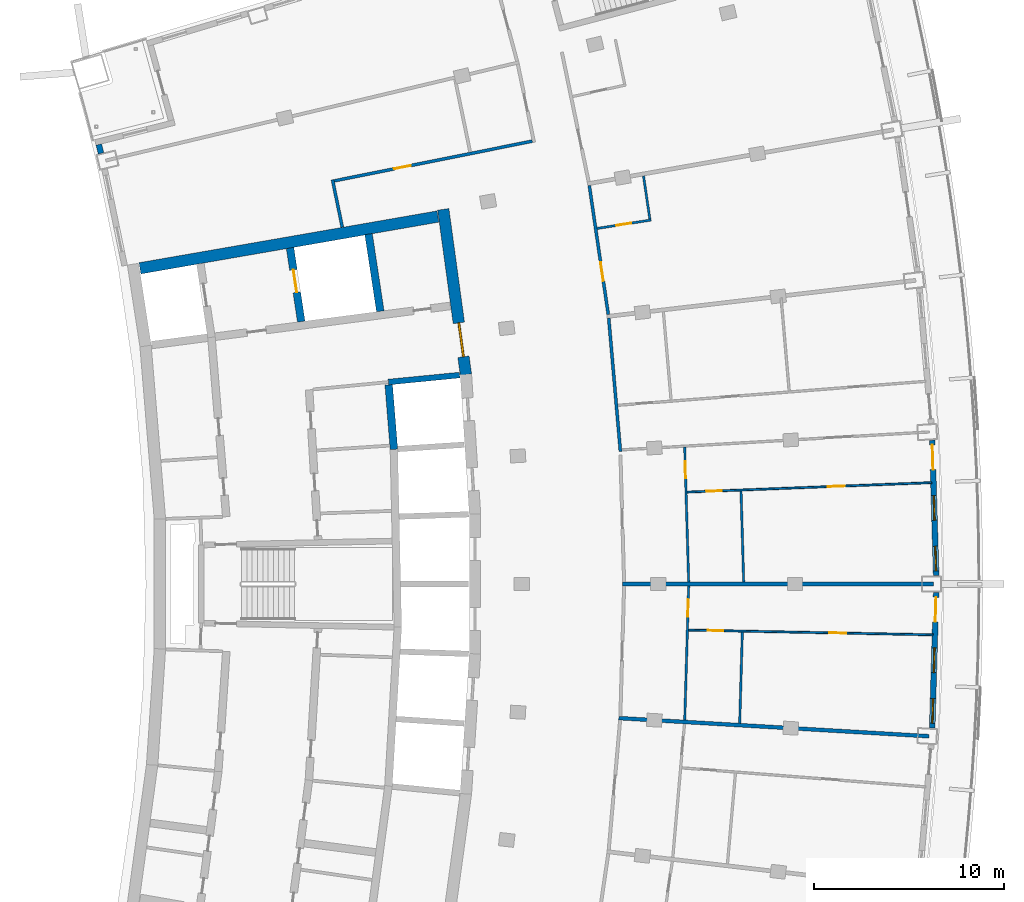
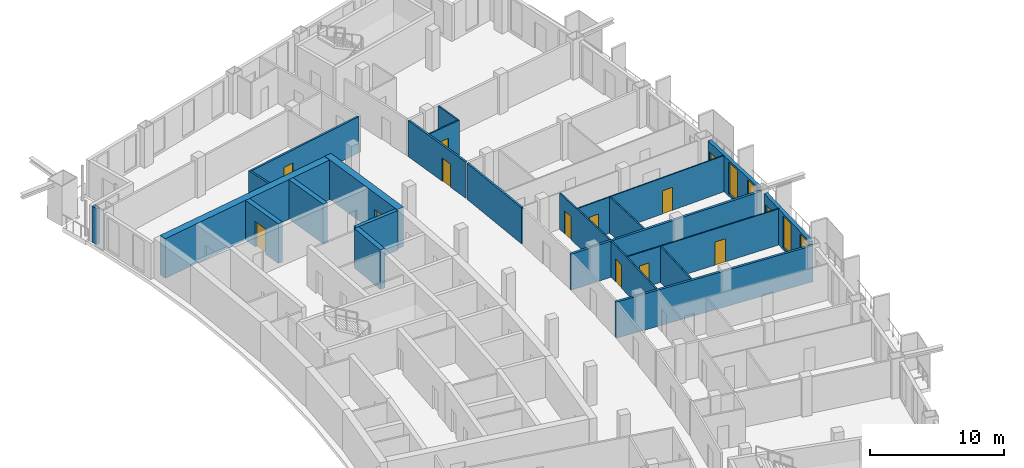
# One storey, part 13 of 19: 23 walls, 13 doors, 4 windows, 17 openings.
"""IFC4 building model written with IfcOpenShell, lengths in metres."""

from ifc_helpers import new_model, si_unit, direction, frame, frame_2d, origin, place, context, subcontext, project, spatial, rectangle, extrude, material, layer, layer_set, type_object, element, fill, save


model = new_model("IFC4")

# Units and contexts
model_context = context("Model", 3, precision=1e-05, world=origin(), true_north=direction((0.0, 1.0)))
body_context = subcontext(model_context, "Body", "Model", "MODEL_VIEW")
ifc_project = project(units=[si_unit("LENGTHUNIT", "METRE"), si_unit("AREAUNIT", "SQUARE_METRE"), si_unit("VOLUMEUNIT", "CUBIC_METRE"), si_unit("PLANEANGLEUNIT", "RADIAN"), si_unit("MASSUNIT", "GRAM", prefix="KILO")], contexts=[model_context])

# Site, building, storey
site_placement = place(None, origin())
site = spatial("IfcSite", under=ifc_project, at=site_placement, CompositionType="ELEMENT")
building_placement = place(site_placement, origin())
building = spatial("IfcBuilding", under=site, at=building_placement, Name="Alderwake Tower", CompositionType="ELEMENT")
storey_placement = place(building_placement, frame((0.0, 0.0, 228.800048828125)))
storey = spatial("IfcBuildingStorey", under=building, at=storey_placement, Name="L57", CompositionType="ELEMENT", Elevation=228.800048828125)

# Wall, opening, door
ifc_material_1 = material(Name="Concrete C70/85", Category="concrete")
ifc_layer_1 = layer(ifc_material_1, 0.60009765625)
ifc_layer_set_1 = layer_set([ifc_layer_1], Name="Core wall outer 600 C70-85")
wall_type_1 = type_object("IfcWallType", Name="Core wall outer 600 C70-85", PredefinedType="SHEAR", material=ifc_layer_set_1)
wall_1_placement = place(storey_placement, frame((31.66796875, 80.743896484375, 0.0), z_axis=(0.0, 0.0, 1.0), x_axis=(0.135856583698, -0.990728514108, 0.0)))
wall_1 = element("IfcWall", 1, at=wall_1_placement, inside=storey, type_object=wall_type_1, Name="Core wall CW.014", PredefinedType="SHEAR", context=body_context, shape_type="SweptSolid", body=[
    extrude(rectangle(XDim=8.79296875, YDim=0.60009765625, at=frame_2d((4.396484375, 0.0))), origin(), (0.0, 0.0, 1.0), 3.599853515625),
])
opening_1_placement = place(wall_1_placement, frame((6.038818359375, 0.0, 0.0)))
opening_1 = element("IfcOpeningElement", 2, at=opening_1_placement, cuts=wall_1, Name="Opening C001", PredefinedType="OPENING", context=body_context, shape_type="SweptSolid", body=[
    extrude(rectangle(XDim=1.800048828125, YDim=2.10009765625, at=frame_2d((0.89990234375, 1.050048828125))), frame((0.0, 0.31005859375, 0.0), z_axis=(0.0, -1.0, 0.0), x_axis=(1.0, 0.0, 0.0)), (0.0, 0.0, 1.0), 0.6201171875),
])
ifc_material_2 = material(Name="Steel-framed fire door leaves", Category="steel")
door_type_1 = type_object("IfcDoorType", Name="Core double door 1800 fire-rated", OperationType="DOUBLE_DOOR_SINGLE_SWING", PredefinedType="DOOR", material=ifc_material_2)
door_1_placement = place(opening_1_placement, origin())
door_1 = element("IfcDoor", 3, at=door_1_placement, inside=storey, type_object=door_type_1, Name="Lobby double door", OperationType="DOUBLE_DOOR_SINGLE_SWING", OverallHeight=2.10009765625, OverallWidth=1.800048828125, PredefinedType="DOOR", context=body_context, shape_type="SweptSolid", body=[
    extrude(rectangle(XDim=1.800048828125, YDim=2.10009765625, at=frame_2d((0.89990234375, 1.050048828125))), frame((0.0, 0.050048828125, 0.0), z_axis=(0.0, -1.0, 0.0), x_axis=(1.0, 0.0, 0.0)), (0.0, 0.0, 1.0), 0.10009765625),
])
fill(opening_1, door_1)

# Walls
wall_2_placement = place(storey_placement, frame((15.68896484375, 77.6357421875, 0.0), z_axis=(0.0, 0.0, 1.0), x_axis=(0.985223223422, 0.17127521721, 0.0)))
element("IfcWall", 4, at=wall_2_placement, inside=storey, type_object=wall_type_1, Name="Core wall CW.055", PredefinedType="SHEAR", context=body_context, shape_type="SweptSolid", body=[
    extrude(rectangle(XDim=15.933349609375, YDim=0.60009765625, at=frame_2d((7.966796875, 0.0))), origin(), (0.0, 0.0, 1.0), 3.599853515625),
])
ifc_material_3 = material(Name="Concrete C70/85", Category="concrete")
ifc_layer_2 = layer(ifc_material_3, 0.300048828125)
ifc_layer_set_2 = layer_set([ifc_layer_2], Name="Core wall shaft 300 C70-85")
wall_type_2 = type_object("IfcWallType", Name="Core wall shaft 300 C70-85", PredefinedType="SHEAR", material=ifc_layer_set_2)
wall_3_placement = place(storey_placement, frame((28.780517578125, 71.644287109375, 0.0), z_axis=(0.0, 0.0, 1.0), x_axis=(0.995245280185, 0.097400370992, 0.0)))
element("IfcWall", 5, at=wall_3_placement, inside=storey, type_object=wall_type_2, Name="Core wall CW.049", PredefinedType="SHEAR", context=body_context, shape_type="SweptSolid", body=[
    extrude(rectangle(XDim=3.769775390625, YDim=0.300048828125, at=frame_2d((1.884765625, 0.0))), origin(), (0.0, 0.0, 1.0), 3.599853515625),
])

# Wall, opening, door
ifc_material_4 = material(Name="Concrete C70/85", Category="concrete")
ifc_layer_3 = layer(ifc_material_4, 0.39990234375)
ifc_layer_set_3 = layer_set([ifc_layer_3], Name="Core wall spine 400 C70-85")
wall_type_3 = type_object("IfcWallType", Name="Core wall spine 400 C70-85", PredefinedType="SHEAR", material=ifc_layer_set_3)
wall_4_placement = place(storey_placement, frame((24.186279296875, 74.82861328125, 0.0), z_axis=(0.0, 0.0, 1.0), x_axis=(-0.150092938275, 0.988671891924, 0.0)))
wall_4 = element("IfcWall", 6, at=wall_4_placement, inside=storey, type_object=wall_type_3, Name="Core wall CW.044", PredefinedType="SHEAR", context=body_context, shape_type="SweptSolid", body=[
    extrude(rectangle(XDim=3.92333984375, YDim=0.39990234375, at=frame_2d((1.961669921875, 0.0))), origin(), (0.0, 0.0, 1.0), 3.599853515625),
])
opening_2_placement = place(wall_4_placement, frame((1.561767578125, 0.0, 0.0)))
opening_2 = element("IfcOpeningElement", 7, at=opening_2_placement, cuts=wall_4, Name="Opening LD-FF2", PredefinedType="OPENING", context=body_context, shape_type="SweptSolid", body=[
    extrude(rectangle(XDim=1.199951171875, YDim=2.300048828125, at=frame_2d((0.60009765625, 1.14990234375))), frame((0.0, 0.2099609375, 0.0), z_axis=(0.0, -1.0, 0.0), x_axis=(1.0, 0.0, 0.0)), (0.0, 0.0, 1.0), 0.419921875),
])
ifc_material_5 = material(Name="Stainless steel sliding leaf", Category="steel")
door_type_2 = type_object("IfcDoorType", Name="Lift landing door 1200", OperationType="SLIDING_TO_LEFT", PredefinedType="DOOR", material=ifc_material_5)
door_2_placement = place(opening_2_placement, origin())
door_2 = element("IfcDoor", 8, at=door_2_placement, inside=storey, type_object=door_type_2, Name="Lift landing door FF2", OperationType="SLIDING_TO_LEFT", OverallHeight=2.300048828125, OverallWidth=1.199951171875, PredefinedType="DOOR", context=body_context, shape_type="SweptSolid", body=[
    extrude(rectangle(XDim=1.199951171875, YDim=2.300048828125, at=frame_2d((0.60009765625, 1.14990234375))), frame((0.0, 0.02490234375, 0.0), z_axis=(0.0, -1.0, 0.0), x_axis=(1.0, 0.0, 0.0)), (0.0, 0.0, 1.0), 0.050048828125),
])
fill(opening_2, door_2)

# Walls
wall_5_placement = place(storey_placement, frame((29.069580078125, 68.09619140625, 0.0), z_axis=(0.0, 0.0, 1.0), x_axis=(-0.080544811251, 0.996750988653, 0.0)))
element("IfcWall", 9, at=wall_5_placement, inside=storey, type_object=wall_type_3, Name="Core wall CW.003", PredefinedType="SHEAR", context=body_context, shape_type="SweptSolid", body=[
    extrude(rectangle(XDim=3.409912109375, YDim=0.39990234375, at=frame_2d((1.705078125, 0.0))), origin(), (0.0, 0.0, 1.0), 3.599853515625),
])
wall_6_placement = place(storey_placement, frame((28.350830078125, 75.373291015625, 0.0), z_axis=(0.0, 0.0, 1.0), x_axis=(-0.150143035921, 0.988664285167, 0.0)))
element("IfcWall", 10, at=wall_6_placement, inside=storey, type_object=wall_type_3, Name="Core wall CW.001", PredefinedType="SHEAR", context=body_context, shape_type="SweptSolid", body=[
    extrude(rectangle(XDim=4.1123046875, YDim=0.39990234375, at=frame_2d((2.05615234375, 0.0))), origin(), (0.0, 0.0, 1.0), 3.599853515625),
])
ifc_material_6 = material(Name="Gypsum board on metal studs, rated")
ifc_layer_4 = layer(ifc_material_6, 0.159912109375)
ifc_layer_set_4 = layer_set([ifc_layer_4], Name="Corridor wall 160")
wall_type_4 = type_object("IfcWallType", Name="Corridor wall 160", PredefinedType="PARTITIONING", material=ifc_layer_set_4)
wall_7_placement = place(storey_placement, frame((25.831787109375, 82.305419921875, 0.0), z_axis=(0.0, 0.0, 1.0), x_axis=(0.202450797205, -0.979292435747, 0.0)))
element("IfcWall", 11, at=wall_7_placement, inside=storey, type_object=wall_type_4, Name="WL/L57/W14", PredefinedType="PARTITIONING", context=body_context, shape_type="SweptSolid", body=[
    extrude(rectangle(XDim=2.555419921875, YDim=0.159912109375, at=frame_2d((1.27783203125, 0.0))), origin(), (0.0, 0.0, 1.0), 3.280029296875),
])

# Wall, opening, door
wall_8_placement = place(storey_placement, frame((25.926513671875, 82.24267578125, 0.0), z_axis=(0.0, 0.0, 1.0), x_axis=(0.98046310274, 0.196703086316, 0.0)))
wall_8 = element("IfcWall", 12, at=wall_8_placement, inside=storey, type_object=wall_type_4, Name="WL/L57/W21", PredefinedType="PARTITIONING", context=body_context, shape_type="SweptSolid", body=[
    extrude(rectangle(XDim=10.637939453125, YDim=0.159912109375, at=frame_2d((5.31884765625, 0.0))), origin(), (0.0, 0.0, 1.0), 3.280029296875),
])
opening_3_placement = place(wall_8_placement, frame((3.208984375, 0.0, 0.0)))
opening_3 = element("IfcOpeningElement", 13, at=opening_3_placement, cuts=wall_8, Name="Opening R16-SBN1", PredefinedType="OPENING", context=body_context, shape_type="SweptSolid", body=[
    extrude(rectangle(XDim=0.89990234375, YDim=2.10009765625, at=frame_2d((0.449951171875, 1.050048828125))), frame((0.0, 0.08984375, 0.0), z_axis=(0.0, -1.0, 0.0), x_axis=(1.0, 0.0, 0.0)), (0.0, 0.0, 1.0), 0.179931640625),
])
ifc_material_7 = material(Name="Painted timber leaf", Category="wood")
door_type_3 = type_object("IfcDoorType", Name="Room door 900", OperationType="SINGLE_SWING_LEFT", PredefinedType="DOOR", material=ifc_material_7)
door_3_placement = place(opening_3_placement, origin())
door_3 = element("IfcDoor", 14, at=door_3_placement, inside=storey, type_object=door_type_3, Name="DR/L57/SBN1", OperationType="SINGLE_SWING_LEFT", OverallHeight=2.10009765625, OverallWidth=0.89990234375, PredefinedType="DOOR", context=body_context, shape_type="SweptSolid", body=[
    extrude(rectangle(XDim=0.89990234375, YDim=2.10009765625, at=frame_2d((0.449951171875, 1.050048828125))), frame((0.0, 0.02490234375, 0.0), z_axis=(0.0, -1.0, 0.0), x_axis=(1.0, 0.0, 0.0)), (0.0, 0.0, 1.0), 0.050048828125),
])
fill(opening_3, door_3)

wall_9_placement = place(storey_placement, frame((39.362548828125, 82.001953125, 0.0), z_axis=(0.0, 0.0, 1.0), x_axis=(0.145565626222, -0.98934859805, 0.0)))
wall_9 = element("IfcWall", 15, at=wall_9_placement, inside=storey, type_object=wall_type_4, Name="WL/L57/W26", PredefinedType="PARTITIONING", context=body_context, shape_type="SweptSolid", body=[
    extrude(rectangle(XDim=6.8681640625, YDim=0.159912109375, at=frame_2d((3.43408203125, 0.0))), origin(), (0.0, 0.0, 1.0), 3.280029296875),
])
opening_4_placement = place(wall_9_placement, frame((4.08544921875, 0.0, 0.0)))
opening_4 = element("IfcOpeningElement", 16, at=opening_4_placement, cuts=wall_9, Name="Opening R16-U07.1", PredefinedType="OPENING", context=body_context, shape_type="SweptSolid", body=[
    extrude(rectangle(XDim=1.0, YDim=2.10009765625, at=frame_2d((0.5, 1.050048828125))), frame((0.0, 0.08984375, 0.0), z_axis=(0.0, -1.0, 0.0), x_axis=(1.0, 0.0, 0.0)), (0.0, 0.0, 1.0), 0.179931640625),
])
ifc_material_8 = material(Name="Solid timber leaf in steel frame", Category="steel")
door_type_4 = type_object("IfcDoorType", Name="Flat entrance door 1000 fire-rated", OperationType="SINGLE_SWING_LEFT", PredefinedType="DOOR", material=ifc_material_8)
door_4_placement = place(opening_4_placement, origin())
door_4 = element("IfcDoor", 17, at=door_4_placement, inside=storey, type_object=door_type_4, Name="DR/L57/U07.1", OperationType="SINGLE_SWING_LEFT", OverallHeight=2.10009765625, OverallWidth=1.0, PredefinedType="DOOR", context=body_context, shape_type="SweptSolid", body=[
    extrude(rectangle(XDim=1.0, YDim=2.10009765625, at=frame_2d((0.5, 1.050048828125))), frame((0.0, 0.02490234375, 0.0), z_axis=(0.0, -1.0, 0.0), x_axis=(1.0, 0.0, 0.0)), (0.0, 0.0, 1.0), 0.050048828125),
])
fill(opening_4, door_4)

# Wall
wall_10_placement = place(storey_placement, frame((41.001953125, 67.9873046875, 0.0), z_axis=(0.0, 0.0, 1.0), x_axis=(-0.087430787456, 0.996170596537, 0.0)))
element("IfcWall", 18, at=wall_10_placement, inside=storey, type_object=wall_type_4, Name="WL/L57/W28", PredefinedType="PARTITIONING", context=body_context, shape_type="SweptSolid", body=[
    extrude(rectangle(XDim=7.048095703125, YDim=0.159912109375, at=frame_2d((3.52392578125, 0.0))), origin(), (0.0, 0.0, 1.0), 3.280029296875),
])

# Wall, openings, door, windows
ifc_material_9 = material(Name="Precast concrete C50/60 spandrel panel", Category="concrete")
ifc_layer_5 = layer(ifc_material_9, 0.300048828125)
ifc_layer_set_5 = layer_set([ifc_layer_5], Name="External wall EW1 Precast concrete C50/60 spandrel")
wall_type_5 = type_object("IfcWallType", Name="External wall EW1 Precast concrete C50/60 spandrel", PredefinedType="SOLIDWALL", material=ifc_layer_set_5)
wall_11_placement = place(storey_placement, frame((57.428955078125, 53.422119140625, 0.0), z_axis=(0.0, 0.0, 1.0), x_axis=(0.029158685433, 0.999574795132, 0.0)))
wall_11 = element("IfcWall", 19, at=wall_11_placement, inside=storey, type_object=wall_type_5, Name="External wall 15", PredefinedType="SOLIDWALL", context=body_context, shape_type="SweptSolid", body=[
    extrude(rectangle(XDim=7.133544921875, YDim=0.300048828125, at=frame_2d((3.56689453125, 0.0))), origin(), (0.0, 0.0, 1.0), 3.280029296875),
])
opening_5_placement = place(wall_11_placement, frame((0.24560546875, 0.0, 0.199951171875)))
opening_5 = element("IfcOpeningElement", 20, at=opening_5_placement, cuts=wall_11, Name="Opening W1", PredefinedType="OPENING", context=body_context, shape_type="SweptSolid", body=[
    extrude(rectangle(XDim=1.300048828125, YDim=2.89990234375, at=frame_2d((0.64990234375, 1.449951171875))), frame((0.0, 0.159912109375, 0.0), z_axis=(0.0, -1.0, 0.0), x_axis=(1.0, 0.0, 0.0)), (0.0, 0.0, 1.0), 0.320068359375),
])
opening_6_placement = place(wall_11_placement, frame((2.916748046875, 0.0, 0.199951171875)))
opening_6 = element("IfcOpeningElement", 21, at=opening_6_placement, cuts=wall_11, Name="Opening W1", PredefinedType="OPENING", context=body_context, shape_type="SweptSolid", body=[
    extrude(rectangle(XDim=1.300048828125, YDim=2.89990234375, at=frame_2d((0.64990234375, 1.449951171875))), frame((0.0, 0.159912109375, 0.0), z_axis=(0.0, -1.0, 0.0), x_axis=(1.0, 0.0, 0.0)), (0.0, 0.0, 1.0), 0.320068359375),
])
opening_7_placement = place(wall_11_placement, frame((5.588134765625, 0.0, 0.0)))
opening_7 = element("IfcOpeningElement", 22, at=opening_7_placement, cuts=wall_11, Name="Opening D04", PredefinedType="OPENING", context=body_context, shape_type="SweptSolid", body=[
    extrude(rectangle(XDim=1.300048828125, YDim=2.39990234375, at=frame_2d((0.64990234375, 1.199951171875))), frame((0.0, 0.159912109375, 0.0), z_axis=(0.0, -1.0, 0.0), x_axis=(1.0, 0.0, 0.0)), (0.0, 0.0, 1.0), 0.320068359375),
])
ifc_material_10 = material(Name="Bronze tinted glass in aluminium frame", Category="aluminium")
door_type_5 = type_object("IfcDoorType", Name="Balcony door BD sliding", OperationType="SLIDING_TO_LEFT", PredefinedType="DOOR", material=ifc_material_10)
door_5_placement = place(opening_7_placement, origin())
door_5 = element("IfcDoor", 23, at=door_5_placement, inside=storey, type_object=door_type_5, Name="Door D04", OperationType="SLIDING_TO_LEFT", OverallHeight=2.39990234375, OverallWidth=1.300048828125, PredefinedType="DOOR", context=body_context, shape_type="SweptSolid", body=[
    extrude(rectangle(XDim=1.300048828125, YDim=2.39990234375, at=frame_2d((0.64990234375, 1.199951171875))), frame((0.0, 0.02490234375, 0.0), z_axis=(0.0, -1.0, 0.0), x_axis=(1.0, 0.0, 0.0)), (0.0, 0.0, 1.0), 0.050048828125),
])
fill(opening_7, door_5)
ifc_material_11 = material(Name="Bronze tinted glass in aluminium frame", Category="aluminium")
window_type = type_object("IfcWindowType", Name="Window W1 tall fixed and vent", PartitioningType="DOUBLE_PANEL_VERTICAL", PredefinedType="WINDOW", material=ifc_material_11)
window_1_placement = place(opening_5_placement, origin())
window_1 = element("IfcWindow", 24, at=window_1_placement, inside=storey, type_object=window_type, Name="Window W1 tall fixed and vent", OverallHeight=2.89990234375, OverallWidth=1.300048828125, PartitioningType="DOUBLE_PANEL_VERTICAL", PredefinedType="WINDOW", context=body_context, shape_type="SweptSolid", body=[
    extrude(rectangle(XDim=1.300048828125, YDim=2.89990234375, at=frame_2d((0.64990234375, 1.449951171875))), frame((0.0, 0.030029296875, 0.0), z_axis=(0.0, -1.0, 0.0), x_axis=(1.0, 0.0, 0.0)), (0.0, 0.0, 1.0), 0.06005859375),
])
fill(opening_5, window_1)
window_2_placement = place(opening_6_placement, origin())
window_2 = element("IfcWindow", 25, at=window_2_placement, inside=storey, type_object=window_type, Name="Window W1 tall fixed and vent", OverallHeight=2.89990234375, OverallWidth=1.300048828125, PartitioningType="DOUBLE_PANEL_VERTICAL", PredefinedType="WINDOW", context=body_context, shape_type="SweptSolid", body=[
    extrude(rectangle(XDim=1.300048828125, YDim=2.89990234375, at=frame_2d((0.64990234375, 1.449951171875))), frame((0.0, 0.030029296875, 0.0), z_axis=(0.0, -1.0, 0.0), x_axis=(1.0, 0.0, 0.0)), (0.0, 0.0, 1.0), 0.06005859375),
])
fill(opening_6, window_2)

wall_12_placement = place(storey_placement, frame((57.636962890625, 61.447265625, 0.0), z_axis=(0.0, 0.0, 1.0), x_axis=(-0.029158685433, 0.999574795132, 0.0)))
wall_12 = element("IfcWall", 26, at=wall_12_placement, inside=storey, type_object=wall_type_5, Name="External wall 16", PredefinedType="SOLIDWALL", context=body_context, shape_type="SweptSolid", body=[
    extrude(rectangle(XDim=7.133544921875, YDim=0.300048828125, at=frame_2d((3.56689453125, 0.0))), origin(), (0.0, 0.0, 1.0), 3.280029296875),
])
opening_8_placement = place(wall_12_placement, frame((0.24560546875, 0.0, 0.199951171875)))
opening_8 = element("IfcOpeningElement", 27, at=opening_8_placement, cuts=wall_12, Name="Opening W1", PredefinedType="OPENING", context=body_context, shape_type="SweptSolid", body=[
    extrude(rectangle(XDim=1.300048828125, YDim=2.89990234375, at=frame_2d((0.64990234375, 1.449951171875))), frame((0.0, 0.159912109375, 0.0), z_axis=(0.0, -1.0, 0.0), x_axis=(1.0, 0.0, 0.0)), (0.0, 0.0, 1.0), 0.320068359375),
])
opening_9_placement = place(wall_12_placement, frame((2.916748046875, 0.0, 0.199951171875)))
opening_9 = element("IfcOpeningElement", 28, at=opening_9_placement, cuts=wall_12, Name="Opening W1", PredefinedType="OPENING", context=body_context, shape_type="SweptSolid", body=[
    extrude(rectangle(XDim=1.300048828125, YDim=2.89990234375, at=frame_2d((0.64990234375, 1.449951171875))), frame((0.0, 0.159912109375, 0.0), z_axis=(0.0, -1.0, 0.0), x_axis=(1.0, 0.0, 0.0)), (0.0, 0.0, 1.0), 0.320068359375),
])
opening_10_placement = place(wall_12_placement, frame((5.588134765625, 0.0, 0.0)))
opening_10 = element("IfcOpeningElement", 29, at=opening_10_placement, cuts=wall_12, Name="Opening D05", PredefinedType="OPENING", context=body_context, shape_type="SweptSolid", body=[
    extrude(rectangle(XDim=1.300048828125, YDim=2.39990234375, at=frame_2d((0.64990234375, 1.199951171875))), frame((0.0, 0.159912109375, 0.0), z_axis=(0.0, -1.0, 0.0), x_axis=(1.0, 0.0, 0.0)), (0.0, 0.0, 1.0), 0.320068359375),
])
door_6_placement = place(opening_10_placement, origin())
door_6 = element("IfcDoor", 30, at=door_6_placement, inside=storey, type_object=door_type_5, Name="Door D05", OperationType="SLIDING_TO_LEFT", OverallHeight=2.39990234375, OverallWidth=1.300048828125, PredefinedType="DOOR", context=body_context, shape_type="SweptSolid", body=[
    extrude(rectangle(XDim=1.300048828125, YDim=2.39990234375, at=frame_2d((0.64990234375, 1.199951171875))), frame((0.0, 0.02490234375, 0.0), z_axis=(0.0, -1.0, 0.0), x_axis=(1.0, 0.0, 0.0)), (0.0, 0.0, 1.0), 0.050048828125),
])
fill(opening_10, door_6)
window_3_placement = place(opening_8_placement, origin())
window_3 = element("IfcWindow", 31, at=window_3_placement, inside=storey, type_object=window_type, Name="Window W1 tall fixed and vent", OverallHeight=2.89990234375, OverallWidth=1.300048828125, PartitioningType="DOUBLE_PANEL_VERTICAL", PredefinedType="WINDOW", context=body_context, shape_type="SweptSolid", body=[
    extrude(rectangle(XDim=1.300048828125, YDim=2.89990234375, at=frame_2d((0.64990234375, 1.449951171875))), frame((0.0, 0.030029296875, 0.0), z_axis=(0.0, -1.0, 0.0), x_axis=(1.0, 0.0, 0.0)), (0.0, 0.0, 1.0), 0.06005859375),
])
fill(opening_8, window_3)
window_4_placement = place(opening_9_placement, origin())
window_4 = element("IfcWindow", 32, at=window_4_placement, inside=storey, type_object=window_type, Name="Window W1 tall fixed and vent", OverallHeight=2.89990234375, OverallWidth=1.300048828125, PartitioningType="DOUBLE_PANEL_VERTICAL", PredefinedType="WINDOW", context=body_context, shape_type="SweptSolid", body=[
    extrude(rectangle(XDim=1.300048828125, YDim=2.89990234375, at=frame_2d((0.64990234375, 1.449951171875))), frame((0.0, 0.030029296875, 0.0), z_axis=(0.0, -1.0, 0.0), x_axis=(1.0, 0.0, 0.0)), (0.0, 0.0, 1.0), 0.06005859375),
])
fill(opening_9, window_4)

# Walls
wall_13_placement = place(storey_placement, frame((13.523193359375, 84.1572265625, 0.0), z_axis=(0.0, 0.0, 1.0), x_axis=(0.238448700846, -0.971155094238, 0.0)))
element("IfcWall", 33, at=wall_13_placement, inside=storey, type_object=wall_type_5, Name="External wall 30", PredefinedType="SOLIDWALL", context=body_context, shape_type="SweptSolid", body=[
    extrude(rectangle(XDim=0.47802734375, YDim=0.300048828125, at=frame_2d((0.239013671875, 0.0))), origin(), (0.0, 0.0, 1.0), 3.280029296875),
])
ifc_material_12 = material(Name="Dense block masonry wall", Category="masonry")
ifc_layer_6 = layer(ifc_material_12, 0.199951171875)
ifc_layer_set_6 = layer_set([ifc_layer_6], Name="Party wall 200")
wall_type_6 = type_object("IfcWallType", Name="Party wall 200", PredefinedType="SOLIDWALL", material=ifc_layer_set_6)
wall_14_placement = place(storey_placement, frame((57.26708984375, 52.98291015625, 0.0), z_axis=(0.0, 0.0, 1.0), x_axis=(-0.99829604526, 0.058352429413, 0.0)))
element("IfcWall", 34, at=wall_14_placement, inside=storey, type_object=wall_type_6, Name="WL/L57/W04", PredefinedType="SOLIDWALL", context=body_context, shape_type="SweptSolid", body=[
    extrude(rectangle(XDim=16.3798828125, YDim=0.199951171875, at=frame_2d((8.18994140625, 0.0))), origin(), (0.0, 0.0, 1.0), 3.280029296875),
])
wall_15_placement = place(storey_placement, frame((57.5009765625, 60.9990234375, 0.0), z_axis=(0.0, 0.0, 1.0), x_axis=(-1.0, 0.0, 0.0)))
element("IfcWall", 35, at=wall_15_placement, inside=storey, type_object=wall_type_6, Name="WL/L57/W05", PredefinedType="SOLIDWALL", context=body_context, shape_type="SweptSolid", body=[
    extrude(rectangle(XDim=16.382080078125, YDim=0.199951171875, at=frame_2d((8.19091796875, 0.0))), origin(), (0.0, 0.0, 1.0), 3.280029296875),
])

# Wall, openings, doors
ifc_material_13 = material(Name="Gypsum board on metal studs")
ifc_layer_7 = layer(ifc_material_13, 0.10009765625)
ifc_layer_set_7 = layer_set([ifc_layer_7], Name="Unit partition 100")
wall_type_7 = type_object("IfcWallType", Name="Unit partition 100", PredefinedType="PARTITIONING", material=ifc_layer_set_7)
wall_16_placement = place(storey_placement, frame((57.39306640625, 66.344970703125, 0.0), z_axis=(0.0, 0.0, 1.0), x_axis=(-0.999250217177, -0.038716966198, 0.0)))
wall_16 = element("IfcWall", 36, at=wall_16_placement, inside=storey, type_object=wall_type_7, Name="WL/L57/W52", PredefinedType="PARTITIONING", context=body_context, shape_type="SweptSolid", body=[
    extrude(rectangle(XDim=12.8828125, YDim=0.10009765625, at=frame_2d((6.44140625, 0.0))), origin(), (0.0, 0.0, 1.0), 3.280029296875),
])
opening_11_placement = place(wall_16_placement, frame((11.06396484375, 0.0, 0.0)))
opening_11 = element("IfcOpeningElement", 37, at=opening_11_placement, cuts=wall_16, Name="Opening R16-U06.3", PredefinedType="OPENING", context=body_context, shape_type="SweptSolid", body=[
    extrude(rectangle(XDim=0.800048828125, YDim=2.10009765625, at=frame_2d((0.39990234375, 1.050048828125))), frame((0.0, 0.06005859375, 0.0), z_axis=(0.0, -1.0, 0.0), x_axis=(1.0, 0.0, 0.0)), (0.0, 0.0, 1.0), 0.1201171875),
])
opening_12_placement = place(wall_16_placement, frame((4.57275390625, 0.0, 0.0)))
opening_12 = element("IfcOpeningElement", 38, at=opening_12_placement, cuts=wall_16, Name="Opening R16-U06.4", PredefinedType="OPENING", context=body_context, shape_type="SweptSolid", body=[
    extrude(rectangle(XDim=0.89990234375, YDim=2.10009765625, at=frame_2d((0.449951171875, 1.050048828125))), frame((0.0, 0.06005859375, 0.0), z_axis=(0.0, -1.0, 0.0), x_axis=(1.0, 0.0, 0.0)), (0.0, 0.0, 1.0), 0.1201171875),
])
ifc_material_14 = material(Name="Painted timber leaf", Category="wood")
door_type_6 = type_object("IfcDoorType", Name="Bathroom door 800", OperationType="SINGLE_SWING_LEFT", PredefinedType="DOOR", material=ifc_material_14)
door_7_placement = place(opening_11_placement, origin())
door_7 = element("IfcDoor", 39, at=door_7_placement, inside=storey, type_object=door_type_6, Name="DR/L57/U06.3", OperationType="SINGLE_SWING_LEFT", OverallHeight=2.10009765625, OverallWidth=0.800048828125, PredefinedType="DOOR", context=body_context, shape_type="SweptSolid", body=[
    extrude(rectangle(XDim=0.800048828125, YDim=2.10009765625, at=frame_2d((0.39990234375, 1.050048828125))), frame((0.0, 0.02490234375, 0.0), z_axis=(0.0, -1.0, 0.0), x_axis=(1.0, 0.0, 0.0)), (0.0, 0.0, 1.0), 0.050048828125),
])
fill(opening_11, door_7)
door_8_placement = place(opening_12_placement, origin())
door_8 = element("IfcDoor", 40, at=door_8_placement, inside=storey, type_object=door_type_3, Name="DR/L57/U06.4", OperationType="SINGLE_SWING_LEFT", OverallHeight=2.10009765625, OverallWidth=0.89990234375, PredefinedType="DOOR", context=body_context, shape_type="SweptSolid", body=[
    extrude(rectangle(XDim=0.89990234375, YDim=2.10009765625, at=frame_2d((0.449951171875, 1.050048828125))), frame((0.0, 0.02490234375, 0.0), z_axis=(0.0, -1.0, 0.0), x_axis=(1.0, 0.0, 0.0)), (0.0, 0.0, 1.0), 0.050048828125),
])
fill(opening_12, door_8)

wall_17_placement = place(storey_placement, frame((57.470947265625, 58.325927734375, 0.0), z_axis=(0.0, 0.0, 1.0), x_axis=(-0.999810260744, 0.019479284134, 0.0)))
wall_17 = element("IfcWall", 41, at=wall_17_placement, inside=storey, type_object=wall_type_7, Name="WL/L57/W53", PredefinedType="PARTITIONING", context=body_context, shape_type="SweptSolid", body=[
    extrude(rectangle(XDim=12.88427734375, YDim=0.10009765625, at=frame_2d((6.442138671875, 0.0))), origin(), (0.0, 0.0, 1.0), 3.280029296875),
])
opening_13_placement = place(wall_17_placement, frame((11.064697265625, 0.0, 0.0)))
opening_13 = element("IfcOpeningElement", 42, at=opening_13_placement, cuts=wall_17, Name="Opening R16-U05.3", PredefinedType="OPENING", context=body_context, shape_type="SweptSolid", body=[
    extrude(rectangle(XDim=0.800048828125, YDim=2.10009765625, at=frame_2d((0.39990234375, 1.050048828125))), frame((0.0, 0.06005859375, 0.0), z_axis=(0.0, -1.0, 0.0), x_axis=(1.0, 0.0, 0.0)), (0.0, 0.0, 1.0), 0.1201171875),
])
opening_14_placement = place(wall_17_placement, frame((4.57275390625, 0.0, 0.0)))
opening_14 = element("IfcOpeningElement", 43, at=opening_14_placement, cuts=wall_17, Name="Opening R16-U05.4", PredefinedType="OPENING", context=body_context, shape_type="SweptSolid", body=[
    extrude(rectangle(XDim=0.89990234375, YDim=2.10009765625, at=frame_2d((0.449951171875, 1.050048828125))), frame((0.0, 0.06005859375, 0.0), z_axis=(0.0, -1.0, 0.0), x_axis=(1.0, 0.0, 0.0)), (0.0, 0.0, 1.0), 0.1201171875),
])
door_9_placement = place(opening_13_placement, origin())
door_9 = element("IfcDoor", 44, at=door_9_placement, inside=storey, type_object=door_type_6, Name="DR/L57/U05.3", OperationType="SINGLE_SWING_LEFT", OverallHeight=2.10009765625, OverallWidth=0.800048828125, PredefinedType="DOOR", context=body_context, shape_type="SweptSolid", body=[
    extrude(rectangle(XDim=0.800048828125, YDim=2.10009765625, at=frame_2d((0.39990234375, 1.050048828125))), frame((0.0, 0.02490234375, 0.0), z_axis=(0.0, -1.0, 0.0), x_axis=(1.0, 0.0, 0.0)), (0.0, 0.0, 1.0), 0.050048828125),
])
fill(opening_13, door_9)
door_10_placement = place(opening_14_placement, origin())
door_10 = element("IfcDoor", 45, at=door_10_placement, inside=storey, type_object=door_type_3, Name="DR/L57/U05.4", OperationType="SINGLE_SWING_LEFT", OverallHeight=2.10009765625, OverallWidth=0.89990234375, PredefinedType="DOOR", context=body_context, shape_type="SweptSolid", body=[
    extrude(rectangle(XDim=0.89990234375, YDim=2.10009765625, at=frame_2d((0.449951171875, 1.050048828125))), frame((0.0, 0.02490234375, 0.0), z_axis=(0.0, -1.0, 0.0), x_axis=(1.0, 0.0, 0.0)), (0.0, 0.0, 1.0), 0.050048828125),
])
fill(opening_14, door_10)

# Wall, opening, door
ifc_material_15 = material(Name="Moisture resistant gypsum board on metal studs")
ifc_layer_8 = layer(ifc_material_15, 0.1201171875)
ifc_layer_set_8 = layer_set([ifc_layer_8], Name="Wet room partition 120")
wall_type_8 = type_object("IfcWallType", Name="Wet room partition 120", PredefinedType="PARTITIONING", material=ifc_layer_set_8)
wall_18_placement = place(storey_placement, frame((39.778076171875, 79.7373046875, 0.0), z_axis=(0.0, 0.0, 1.0), x_axis=(0.988012842758, 0.154371702541, 0.0)))
wall_18 = element("IfcWall", 46, at=wall_18_placement, inside=storey, type_object=wall_type_8, Name="WL/L57/W36", PredefinedType="PARTITIONING", context=body_context, shape_type="SweptSolid", body=[
    extrude(rectangle(XDim=2.876708984375, YDim=0.1201171875, at=frame_2d((1.4384765625, 0.0))), origin(), (0.0, 0.0, 1.0), 3.280029296875),
])
opening_15_placement = place(wall_18_placement, frame((1.0087890625, 0.0, 0.0)))
opening_15 = element("IfcOpeningElement", 47, at=opening_15_placement, cuts=wall_18, Name="Opening R16-U07.2", PredefinedType="OPENING", context=body_context, shape_type="SweptSolid", body=[
    extrude(rectangle(XDim=0.800048828125, YDim=2.10009765625, at=frame_2d((0.39990234375, 1.050048828125))), frame((0.0, 0.070068359375, 0.0), z_axis=(0.0, -1.0, 0.0), x_axis=(1.0, 0.0, 0.0)), (0.0, 0.0, 1.0), 0.14013671875),
])
door_11_placement = place(opening_15_placement, origin())
door_11 = element("IfcDoor", 48, at=door_11_placement, inside=storey, type_object=door_type_6, Name="DR/L57/U07.2", OperationType="SINGLE_SWING_LEFT", OverallHeight=2.10009765625, OverallWidth=0.800048828125, PredefinedType="DOOR", context=body_context, shape_type="SweptSolid", body=[
    extrude(rectangle(XDim=0.800048828125, YDim=2.10009765625, at=frame_2d((0.39990234375, 1.050048828125))), frame((0.0, 0.02490234375, 0.0), z_axis=(0.0, -1.0, 0.0), x_axis=(1.0, 0.0, 0.0)), (0.0, 0.0, 1.0), 0.050048828125),
])
fill(opening_15, door_11)

# Wall
wall_19_placement = place(storey_placement, frame((42.55224609375, 80.2314453125, 0.0), z_axis=(0.0, 0.0, 1.0), x_axis=(-0.144984056833, 0.989433991363, 0.0)))
element("IfcWall", 49, at=wall_19_placement, inside=storey, type_object=wall_type_8, Name="WL/L57/W38", PredefinedType="PARTITIONING", context=body_context, shape_type="SweptSolid", body=[
    extrude(rectangle(XDim=2.302001953125, YDim=0.1201171875, at=frame_2d((1.15087890625, 0.0))), origin(), (0.0, 0.0, 1.0), 3.280029296875),
])

# Wall, opening, door
wall_20_placement = place(storey_placement, frame((44.59814453125, 60.89892578125, 0.0), z_axis=(0.0, 0.0, 1.0), x_axis=(-0.029334069975, -0.999569663575, 0.0)))
wall_20 = element("IfcWall", 50, at=wall_20_placement, inside=storey, type_object=wall_type_8, Name="WL/L57/W42", PredefinedType="PARTITIONING", context=body_context, shape_type="SweptSolid", body=[
    extrude(rectangle(XDim=7.06591796875, YDim=0.1201171875, at=frame_2d((3.532958984375, 0.0))), origin(), (0.0, 0.0, 1.0), 3.280029296875),
])
opening_16_placement = place(wall_20_placement, frame((0.710693359375, 0.0, 0.0)))
opening_16 = element("IfcOpeningElement", 51, at=opening_16_placement, cuts=wall_20, Name="Opening R16-U05.2", PredefinedType="OPENING", context=body_context, shape_type="SweptSolid", body=[
    extrude(rectangle(XDim=0.89990234375, YDim=2.10009765625, at=frame_2d((0.449951171875, 1.050048828125))), frame((0.0, 0.070068359375, 0.0), z_axis=(0.0, -1.0, 0.0), x_axis=(1.0, 0.0, 0.0)), (0.0, 0.0, 1.0), 0.14013671875),
])
door_12_placement = place(opening_16_placement, origin())
door_12 = element("IfcDoor", 52, at=door_12_placement, inside=storey, type_object=door_type_3, Name="DR/L57/U05.2", OperationType="SINGLE_SWING_LEFT", OverallHeight=2.10009765625, OverallWidth=0.89990234375, PredefinedType="DOOR", context=body_context, shape_type="SweptSolid", body=[
    extrude(rectangle(XDim=0.89990234375, YDim=2.10009765625, at=frame_2d((0.449951171875, 1.050048828125))), frame((0.0, 0.02490234375, 0.0), z_axis=(0.0, -1.0, 0.0), x_axis=(1.0, 0.0, 0.0)), (0.0, 0.0, 1.0), 0.050048828125),
])
fill(opening_16, door_12)

wall_21_placement = place(storey_placement, frame((44.389404296875, 68.215087890625, 0.0), z_axis=(0.0, 0.0, 1.0), x_axis=(0.029321452598, -0.999570033773, 0.0)))
wall_21 = element("IfcWall", 53, at=wall_21_placement, inside=storey, type_object=wall_type_8, Name="WL/L57/W43", PredefinedType="PARTITIONING", context=body_context, shape_type="SweptSolid", body=[
    extrude(rectangle(XDim=7.119140625, YDim=0.1201171875, at=frame_2d((3.5595703125, 0.0))), origin(), (0.0, 0.0, 1.0), 3.280029296875),
])
opening_17_placement = place(wall_21_placement, frame((0.736572265625, 0.0, 0.0)))
opening_17 = element("IfcOpeningElement", 54, at=opening_17_placement, cuts=wall_21, Name="Opening R16-U06.2", PredefinedType="OPENING", context=body_context, shape_type="SweptSolid", body=[
    extrude(rectangle(XDim=0.89990234375, YDim=2.10009765625, at=frame_2d((0.449951171875, 1.050048828125))), frame((0.0, 0.070068359375, 0.0), z_axis=(0.0, -1.0, 0.0), x_axis=(1.0, 0.0, 0.0)), (0.0, 0.0, 1.0), 0.14013671875),
])
door_13_placement = place(opening_17_placement, origin())
door_13 = element("IfcDoor", 55, at=door_13_placement, inside=storey, type_object=door_type_3, Name="DR/L57/U06.2", OperationType="SINGLE_SWING_LEFT", OverallHeight=2.10009765625, OverallWidth=0.89990234375, PredefinedType="DOOR", context=body_context, shape_type="SweptSolid", body=[
    extrude(rectangle(XDim=0.89990234375, YDim=2.10009765625, at=frame_2d((0.449951171875, 1.050048828125))), frame((0.0, 0.02490234375, 0.0), z_axis=(0.0, -1.0, 0.0), x_axis=(1.0, 0.0, 0.0)), (0.0, 0.0, 1.0), 0.050048828125),
])
fill(opening_17, door_13)

# Walls
wall_22_placement = place(storey_placement, frame((47.285888671875, 53.66796875, 0.0), z_axis=(0.0, 0.0, 1.0), x_axis=(0.029063100448, 0.999577578876, 0.0)))
element("IfcWall", 56, at=wall_22_placement, inside=storey, type_object=wall_type_8, Name="WL/L57/W46", PredefinedType="PARTITIONING", context=body_context, shape_type="SweptSolid", body=[
    extrude(rectangle(XDim=4.804931640625, YDim=0.1201171875, at=frame_2d((2.40234375, 0.0))), origin(), (0.0, 0.0, 1.0), 3.280029296875),
])
wall_23_placement = place(storey_placement, frame((47.49609375, 61.09912109375, 0.0), z_axis=(0.0, 0.0, 1.0), x_axis=(-0.029045398498, 0.99957809341, 0.0)))
element("IfcWall", 57, at=wall_23_placement, inside=storey, type_object=wall_type_8, Name="WL/L57/W47", PredefinedType="PARTITIONING", context=body_context, shape_type="SweptSolid", body=[
    extrude(rectangle(XDim=4.807861328125, YDim=0.1201171875, at=frame_2d((2.40380859375, 0.0))), origin(), (0.0, 0.0, 1.0), 3.280029296875),
])

save(model, "model.ifc")
